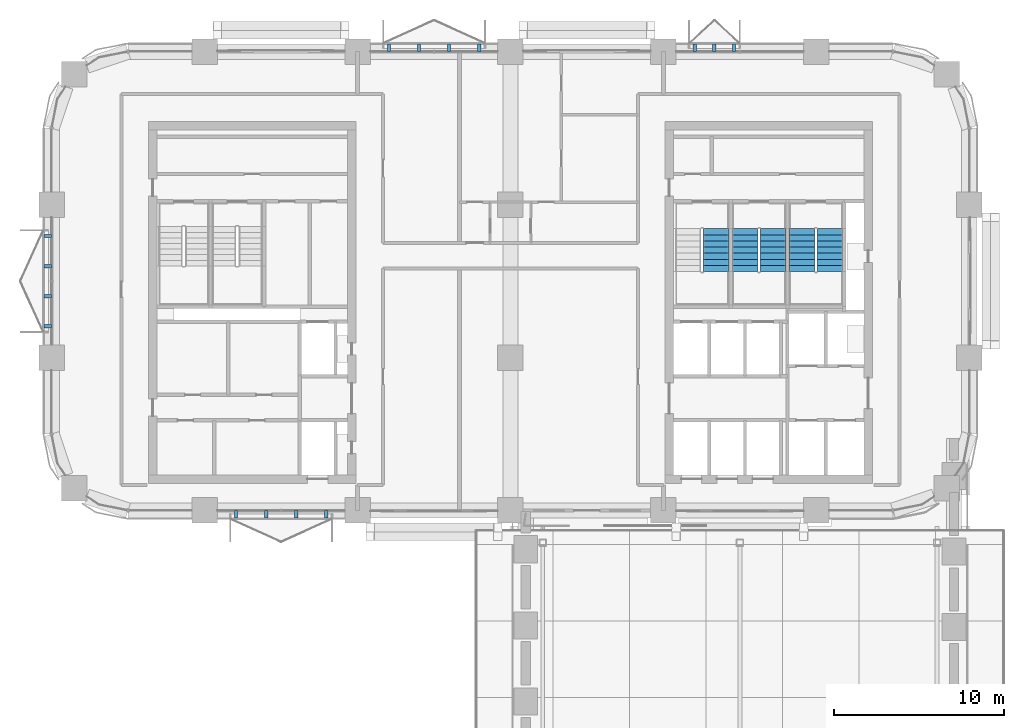
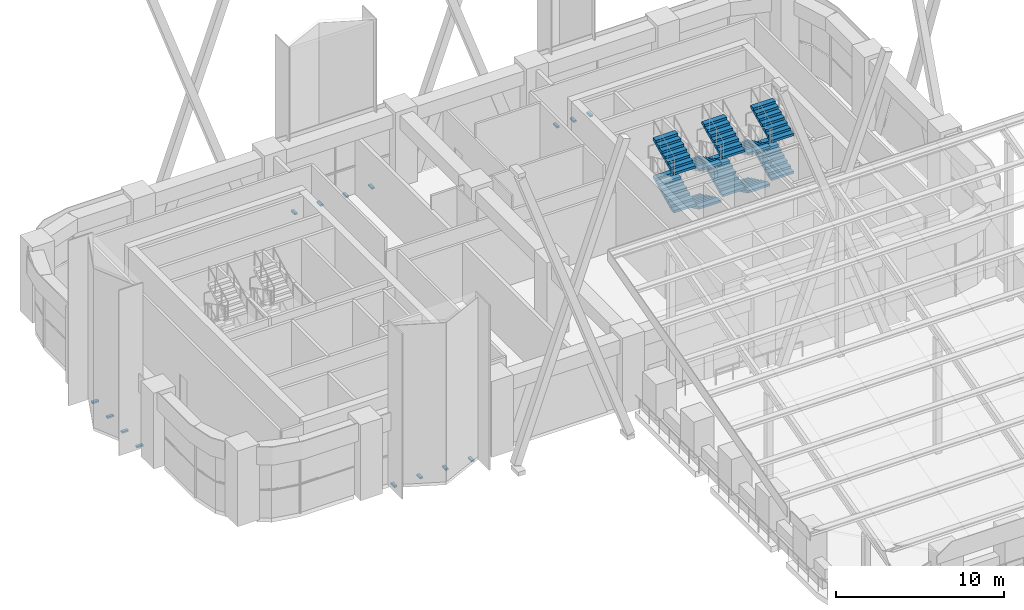
# One storey, part 17 of 22: 15 discrete accessories, 10 stair flights, 3 elements without a shape of their own.
"""IFC4 building model written with IfcOpenShell, lengths in metres."""

from ifc_helpers import new_model, si_unit, direction, frame, origin, origin_2d, place, context, subcontext, project, spatial, polyline, rectangle, outline, extrude, material, type_object, element, aggregate, save


model = new_model("IFC4")

# Units and contexts
model_context = context("Model", 3, precision=1e-05, world=origin(), true_north=direction((0.0, 1.0)))
body_context = subcontext(model_context, "Body", "Model", "MODEL_VIEW")
ifc_project = project(units=[si_unit("LENGTHUNIT", "METRE"), si_unit("AREAUNIT", "SQUARE_METRE"), si_unit("VOLUMEUNIT", "CUBIC_METRE"), si_unit("PLANEANGLEUNIT", "RADIAN"), si_unit("MASSUNIT", "GRAM", prefix="KILO")], contexts=[model_context])

# Site, building, storey
site_placement = place(None, origin())
site = spatial("IfcSite", under=ifc_project, at=site_placement, CompositionType="ELEMENT")
building_placement = place(site_placement, origin())
building = spatial("IfcBuilding", under=site, at=building_placement, Name="Tessera Arch", CompositionType="ELEMENT")
storey_placement = place(building_placement, frame((0.0, 0.0, 129.39990234375)))
storey = spatial("IfcBuildingStorey", under=building, at=storey_placement, Name="L30", CompositionType="ELEMENT", Elevation=129.39990234375)

# Stair, stair flights
ifc_material_1 = material(Name="Concrete C40/50", Category="concrete")
stair_type = type_object("IfcStairType", Name="Dogleg stair 1520", PredefinedType="HALF_TURN_STAIR", material=ifc_material_1)
stair_1_placement = place(storey_placement, origin())
stair_1 = element("IfcStair", 1, at=stair_1_placement, inside=storey, type_object=stair_type, Name="L30 S1a", PredefinedType="HALF_TURN_STAIR")
ifc_material_2 = material(Name="Concrete C40/50", Category="concrete")
stair_flight_type = type_object("IfcStairFlightType", Name="Stair flight 1520", PredefinedType="STRAIGHT", material=ifc_material_2)
stair_flight_1_placement = place(storey_placement, frame((39.090087890625, 41.06005859375, 1.375), z_axis=(0.0, 0.0, 1.0), x_axis=(0.0, 1.0, 0.0)))
stair_flight_1 = element("IfcStairFlight", 2, at=stair_flight_1_placement, type_object=stair_flight_type, Name="S1a flight 2", NumberOfRisers=8, NumberOfTreads=7, PredefinedType="STRAIGHT", RiserHeight=0.171875, TreadLength=0.36, context=body_context, shape_type="SweptSolid", body=[
    extrude(outline(polyline([(0.0, 0.0), (0.0, 0.171875), (0.360107421875, 0.171875), (0.360107421875, 0.34375), (0.719970703125, 0.34375), (0.719970703125, 0.515625), (1.080078125, 0.515625), (1.080078125, 0.6875), (1.43994140625, 0.6875), (1.43994140625, 0.859375), (1.800048828125, 0.859375), (1.800048828125, 1.03125), (2.159912109375, 1.03125), (2.159912109375, 1.203125), (2.52001953125, 1.203125), (2.52001953125, 1.375), (2.52001953125, 1.037109375), (0.347900390625, 0.0), (0.0, 0.0)])), frame((0.0, 0.760009765625, 0.0), z_axis=(0.0, -1.0, 0.0), x_axis=(1.0, 0.0, 0.0)), (0.0, 0.0, 1.0), 1.52001953125),
])
stair_flight_2_placement = place(storey_placement, frame((39.090087890625, 41.06005859375, 4.125), z_axis=(0.0, 0.0, 1.0), x_axis=(0.0, 1.0, 0.0)))
stair_flight_2 = element("IfcStairFlight", 3, at=stair_flight_2_placement, type_object=stair_flight_type, Name="S1a flight 4", NumberOfRisers=8, NumberOfTreads=7, PredefinedType="STRAIGHT", RiserHeight=0.171875, TreadLength=0.36, context=body_context, shape_type="SweptSolid", body=[
    extrude(outline(polyline([(0.0, 0.0), (0.0, 0.171875), (0.360107421875, 0.171875), (0.360107421875, 0.34375), (0.719970703125, 0.34375), (0.719970703125, 0.515625), (1.080078125, 0.515625), (1.080078125, 0.6875), (1.43994140625, 0.6875), (1.43994140625, 0.859375), (1.800048828125, 0.859375), (1.800048828125, 1.03125), (2.159912109375, 1.03125), (2.159912109375, 1.203125), (2.52001953125, 1.203125), (2.52001953125, 1.375), (2.52001953125, 1.037109375), (0.347900390625, 0.0), (0.0, 0.0)])), frame((0.0, 0.760009765625, 0.0), z_axis=(0.0, -1.0, 0.0), x_axis=(1.0, 0.0, 0.0)), (0.0, 0.0, 1.0), 1.52001953125),
])
aggregate(stair_1, [stair_flight_1, stair_flight_2])

stair_2_placement = place(storey_placement, origin())
stair_2 = element("IfcStair", 4, at=stair_2_placement, inside=storey, type_object=stair_type, Name="L30 S1b", PredefinedType="HALF_TURN_STAIR")
stair_flight_3_placement = place(storey_placement, frame((40.81005859375, 43.580078125, 0.0), z_axis=(0.0, 0.0, 1.0), x_axis=(0.0, -1.0, 0.0)))
stair_flight_3 = element("IfcStairFlight", 5, at=stair_flight_3_placement, type_object=stair_flight_type, Name="S1b flight 1", NumberOfRisers=8, NumberOfTreads=7, PredefinedType="STRAIGHT", RiserHeight=0.171875, TreadLength=0.36, context=body_context, shape_type="SweptSolid", body=[
    extrude(outline(polyline([(0.0, 0.0), (0.0, 0.171875), (0.360107421875, 0.171875), (0.360107421875, 0.34375), (0.719970703125, 0.34375), (0.719970703125, 0.515625), (1.080078125, 0.515625), (1.080078125, 0.6875), (1.43994140625, 0.6875), (1.43994140625, 0.859375), (1.800048828125, 0.859375), (1.800048828125, 1.03125), (2.159912109375, 1.03125), (2.159912109375, 1.203125), (2.52001953125, 1.203125), (2.52001953125, 1.375), (2.52001953125, 1.037109375), (0.347900390625, 0.0), (0.0, 0.0)])), frame((0.0, 0.760009765625, 0.0), z_axis=(0.0, -1.0, 0.0), x_axis=(1.0, 0.0, 0.0)), (0.0, 0.0, 1.0), 1.52001953125),
])
stair_flight_4_placement = place(storey_placement, frame((42.43994140625, 41.06005859375, 1.375), z_axis=(0.0, 0.0, 1.0), x_axis=(0.0, 1.0, 0.0)))
stair_flight_4 = element("IfcStairFlight", 6, at=stair_flight_4_placement, type_object=stair_flight_type, Name="S1b flight 2", NumberOfRisers=8, NumberOfTreads=7, PredefinedType="STRAIGHT", RiserHeight=0.171875, TreadLength=0.36, context=body_context, shape_type="SweptSolid", body=[
    extrude(outline(polyline([(0.0, 0.0), (0.0, 0.171875), (0.360107421875, 0.171875), (0.360107421875, 0.34375), (0.719970703125, 0.34375), (0.719970703125, 0.515625), (1.080078125, 0.515625), (1.080078125, 0.6875), (1.43994140625, 0.6875), (1.43994140625, 0.859375), (1.800048828125, 0.859375), (1.800048828125, 1.03125), (2.159912109375, 1.03125), (2.159912109375, 1.203125), (2.52001953125, 1.203125), (2.52001953125, 1.375), (2.52001953125, 1.037109375), (0.347900390625, 0.0), (0.0, 0.0)])), frame((0.0, 0.760009765625, 0.0), z_axis=(0.0, -1.0, 0.0), x_axis=(1.0, 0.0, 0.0)), (0.0, 0.0, 1.0), 1.52001953125),
])
stair_flight_5_placement = place(storey_placement, frame((40.81005859375, 43.580078125, 2.75), z_axis=(0.0, 0.0, 1.0), x_axis=(0.0, -1.0, 0.0)))
stair_flight_5 = element("IfcStairFlight", 7, at=stair_flight_5_placement, type_object=stair_flight_type, Name="S1b flight 3", NumberOfRisers=8, NumberOfTreads=7, PredefinedType="STRAIGHT", RiserHeight=0.171875, TreadLength=0.36, context=body_context, shape_type="SweptSolid", body=[
    extrude(outline(polyline([(0.0, 0.0), (0.0, 0.171875), (0.360107421875, 0.171875), (0.360107421875, 0.34375), (0.719970703125, 0.34375), (0.719970703125, 0.515625), (1.080078125, 0.515625), (1.080078125, 0.6875), (1.43994140625, 0.6875), (1.43994140625, 0.859375), (1.800048828125, 0.859375), (1.800048828125, 1.03125), (2.159912109375, 1.03125), (2.159912109375, 1.203125), (2.52001953125, 1.203125), (2.52001953125, 1.375), (2.52001953125, 1.037109375), (0.347900390625, 0.0), (0.0, 0.0)])), frame((0.0, 0.760009765625, 0.0), z_axis=(0.0, -1.0, 0.0), x_axis=(1.0, 0.0, 0.0)), (0.0, 0.0, 1.0), 1.52001953125),
])
stair_flight_6_placement = place(storey_placement, frame((42.43994140625, 41.06005859375, 4.125), z_axis=(0.0, 0.0, 1.0), x_axis=(0.0, 1.0, 0.0)))
stair_flight_6 = element("IfcStairFlight", 8, at=stair_flight_6_placement, type_object=stair_flight_type, Name="S1b flight 4", NumberOfRisers=8, NumberOfTreads=7, PredefinedType="STRAIGHT", RiserHeight=0.171875, TreadLength=0.36, context=body_context, shape_type="SweptSolid", body=[
    extrude(outline(polyline([(0.0, 0.0), (0.0, 0.171875), (0.360107421875, 0.171875), (0.360107421875, 0.34375), (0.719970703125, 0.34375), (0.719970703125, 0.515625), (1.080078125, 0.515625), (1.080078125, 0.6875), (1.43994140625, 0.6875), (1.43994140625, 0.859375), (1.800048828125, 0.859375), (1.800048828125, 1.03125), (2.159912109375, 1.03125), (2.159912109375, 1.203125), (2.52001953125, 1.203125), (2.52001953125, 1.375), (2.52001953125, 1.037109375), (0.347900390625, 0.0), (0.0, 0.0)])), frame((0.0, 0.760009765625, 0.0), z_axis=(0.0, -1.0, 0.0), x_axis=(1.0, 0.0, 0.0)), (0.0, 0.0, 1.0), 1.52001953125),
])
aggregate(stair_2, [stair_flight_3, stair_flight_4, stair_flight_5, stair_flight_6])

stair_3_placement = place(storey_placement, origin())
stair_3 = element("IfcStair", 9, at=stair_3_placement, inside=storey, type_object=stair_type, Name="L30 S1c", PredefinedType="HALF_TURN_STAIR")
stair_flight_7_placement = place(storey_placement, frame((44.159912109375, 43.580078125, 0.0), z_axis=(0.0, 0.0, 1.0), x_axis=(0.0, -1.0, 0.0)))
stair_flight_7 = element("IfcStairFlight", 10, at=stair_flight_7_placement, type_object=stair_flight_type, Name="S1c flight 1", NumberOfRisers=8, NumberOfTreads=7, PredefinedType="STRAIGHT", RiserHeight=0.171875, TreadLength=0.36, context=body_context, shape_type="SweptSolid", body=[
    extrude(outline(polyline([(0.0, 0.0), (0.0, 0.171875), (0.360107421875, 0.171875), (0.360107421875, 0.34375), (0.719970703125, 0.34375), (0.719970703125, 0.515625), (1.080078125, 0.515625), (1.080078125, 0.6875), (1.43994140625, 0.6875), (1.43994140625, 0.859375), (1.800048828125, 0.859375), (1.800048828125, 1.03125), (2.159912109375, 1.03125), (2.159912109375, 1.203125), (2.52001953125, 1.203125), (2.52001953125, 1.375), (2.52001953125, 1.037109375), (0.347900390625, 0.0), (0.0, 0.0)])), frame((0.0, 0.760009765625, 0.0), z_axis=(0.0, -1.0, 0.0), x_axis=(1.0, 0.0, 0.0)), (0.0, 0.0, 1.0), 1.52001953125),
])
stair_flight_8_placement = place(storey_placement, frame((45.7900390625, 41.06005859375, 1.375), z_axis=(0.0, 0.0, 1.0), x_axis=(0.0, 1.0, 0.0)))
stair_flight_8 = element("IfcStairFlight", 11, at=stair_flight_8_placement, type_object=stair_flight_type, Name="S1c flight 2", NumberOfRisers=8, NumberOfTreads=7, PredefinedType="STRAIGHT", RiserHeight=0.171875, TreadLength=0.36, context=body_context, shape_type="SweptSolid", body=[
    extrude(outline(polyline([(0.0, 0.0), (0.0, 0.171875), (0.360107421875, 0.171875), (0.360107421875, 0.34375), (0.719970703125, 0.34375), (0.719970703125, 0.515625), (1.080078125, 0.515625), (1.080078125, 0.6875), (1.43994140625, 0.6875), (1.43994140625, 0.859375), (1.800048828125, 0.859375), (1.800048828125, 1.03125), (2.159912109375, 1.03125), (2.159912109375, 1.203125), (2.52001953125, 1.203125), (2.52001953125, 1.375), (2.52001953125, 1.037109375), (0.347900390625, 0.0), (0.0, 0.0)])), frame((0.0, 0.760009765625, 0.0), z_axis=(0.0, -1.0, 0.0), x_axis=(1.0, 0.0, 0.0)), (0.0, 0.0, 1.0), 1.52001953125),
])
stair_flight_9_placement = place(storey_placement, frame((44.159912109375, 43.580078125, 2.75), z_axis=(0.0, 0.0, 1.0), x_axis=(0.0, -1.0, 0.0)))
stair_flight_9 = element("IfcStairFlight", 12, at=stair_flight_9_placement, type_object=stair_flight_type, Name="S1c flight 3", NumberOfRisers=8, NumberOfTreads=7, PredefinedType="STRAIGHT", RiserHeight=0.171875, TreadLength=0.36, context=body_context, shape_type="SweptSolid", body=[
    extrude(outline(polyline([(0.0, 0.0), (0.0, 0.171875), (0.360107421875, 0.171875), (0.360107421875, 0.34375), (0.719970703125, 0.34375), (0.719970703125, 0.515625), (1.080078125, 0.515625), (1.080078125, 0.6875), (1.43994140625, 0.6875), (1.43994140625, 0.859375), (1.800048828125, 0.859375), (1.800048828125, 1.03125), (2.159912109375, 1.03125), (2.159912109375, 1.203125), (2.52001953125, 1.203125), (2.52001953125, 1.375), (2.52001953125, 1.037109375), (0.347900390625, 0.0), (0.0, 0.0)])), frame((0.0, 0.760009765625, 0.0), z_axis=(0.0, -1.0, 0.0), x_axis=(1.0, 0.0, 0.0)), (0.0, 0.0, 1.0), 1.52001953125),
])
stair_flight_10_placement = place(storey_placement, frame((45.7900390625, 41.06005859375, 4.125), z_axis=(0.0, 0.0, 1.0), x_axis=(0.0, 1.0, 0.0)))
stair_flight_10 = element("IfcStairFlight", 13, at=stair_flight_10_placement, type_object=stair_flight_type, Name="S1c flight 4", NumberOfRisers=8, NumberOfTreads=7, PredefinedType="STRAIGHT", RiserHeight=0.171875, TreadLength=0.36, context=body_context, shape_type="SweptSolid", body=[
    extrude(outline(polyline([(0.0, 0.0), (0.0, 0.171875), (0.360107421875, 0.171875), (0.360107421875, 0.34375), (0.719970703125, 0.34375), (0.719970703125, 0.515625), (1.080078125, 0.515625), (1.080078125, 0.6875), (1.43994140625, 0.6875), (1.43994140625, 0.859375), (1.800048828125, 0.859375), (1.800048828125, 1.03125), (2.159912109375, 1.03125), (2.159912109375, 1.203125), (2.52001953125, 1.203125), (2.52001953125, 1.375), (2.52001953125, 1.037109375), (0.347900390625, 0.0), (0.0, 0.0)])), frame((0.0, 0.760009765625, 0.0), z_axis=(0.0, -1.0, 0.0), x_axis=(1.0, 0.0, 0.0)), (0.0, 0.0, 1.0), 1.52001953125),
])
aggregate(stair_3, [stair_flight_7, stair_flight_8, stair_flight_9, stair_flight_10])

# Discrete accessories
for number, where, z_axis, x_axis, name in (
    (14, (25.14990234375, 54.219970703125, -0.119873046875), (0.0, 0.0, 1.0), (0.0, 1.0, 0.0), "Window box bracket"),
    (15, (23.38330078125, 54.219970703125, -0.119873046875), (0.0, 0.0, 1.0), (0.0, 1.0, 0.0), "Window box bracket"),
    (16, (21.61669921875, 54.219970703125, -0.119873046875), (0.0, 0.0, 1.0), (0.0, 1.0, 0.0), "Window box bracket"),
    (17, (19.85009765625, 54.219970703125, -0.119873046875), (0.0, 0.0, 1.0), (0.0, 1.0, 0.0), "Window box bracket"),
    (18, (10.85009765625, 26.780029296875, -0.119873046875), (0.0, 0.0, 1.0), (0.0, -1.0, 0.0), "Window box bracket"),
    (19, (12.61669921875, 26.780029296875, -0.119873046875), (0.0, 0.0, 1.0), (0.0, -1.0, 0.0), "Window box bracket"),
    (20, (14.38330078125, 26.780029296875, -0.119873046875), (0.0, 0.0, 1.0), (0.0, -1.0, 0.0), "Window box bracket"),
    (21, (16.14990234375, 26.780029296875, -0.119873046875), (0.0, 0.0, 1.0), (0.0, -1.0, 0.0), "Window box bracket"),
    (22, (-0.219970703125, 43.14990234375, -0.119873046875), (0.0, 0.0, 1.0), (-1.0, 0.0, 0.0), "Window box bracket"),
    (23, (-0.219970703125, 41.38330078125, -0.119873046875), (0.0, 0.0, 1.0), (-1.0, 0.0, 0.0), "Window box bracket"),
    (24, (-0.219970703125, 39.61669921875, -0.119873046875), (0.0, 0.0, 1.0), (-1.0, 0.0, 0.0), "Window box bracket"),
    (25, (-0.219970703125, 37.85009765625, -0.119873046875), (0.0, 0.0, 1.0), (-1.0, 0.0, 0.0), "Window box bracket"),
    (26, (40.14990234375, 54.219970703125, -0.119873046875), (0.0, 0.0, 1.0), (0.0, 1.0, 0.0), "Window box bracket"),
    (27, (39.0, 54.219970703125, -0.119873046875), (0.0, 0.0, 1.0), (0.0, 1.0, 0.0), "Window box bracket"),
    (28, (37.85009765625, 54.219970703125, -0.119873046875), (0.0, 0.0, 1.0), (0.0, 1.0, 0.0), "Window box bracket"),
):
    element("IfcDiscreteAccessory", number, at=place(storey_placement, frame(where, z_axis=z_axis, x_axis=x_axis)), inside=storey, Name=name, PredefinedType="BRACKET", context=body_context, shape_type="SweptSolid", body=[
        extrude(rectangle(XDim=0.43994140625, YDim=0.199951171875, at=origin_2d()), origin(), (0.0, 0.0, 1.0), 0.1201171875),
    ])

save(model, "model.ifc")
